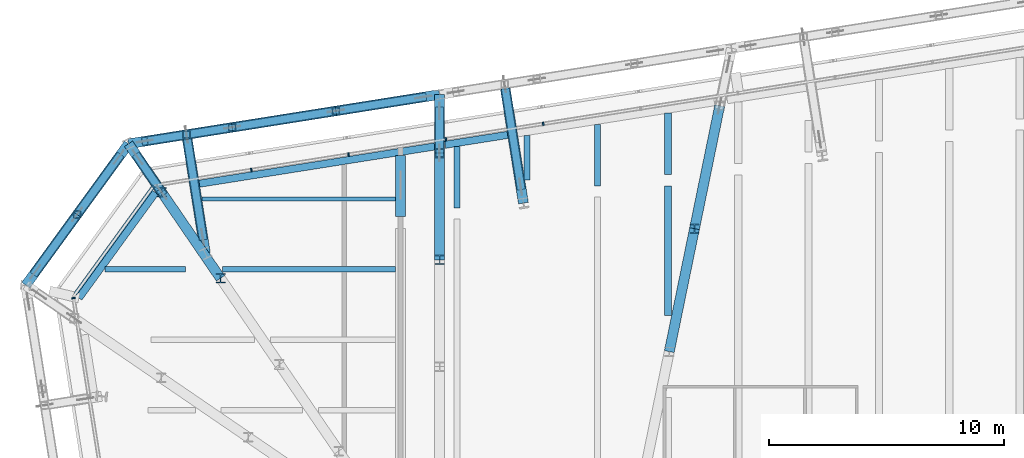
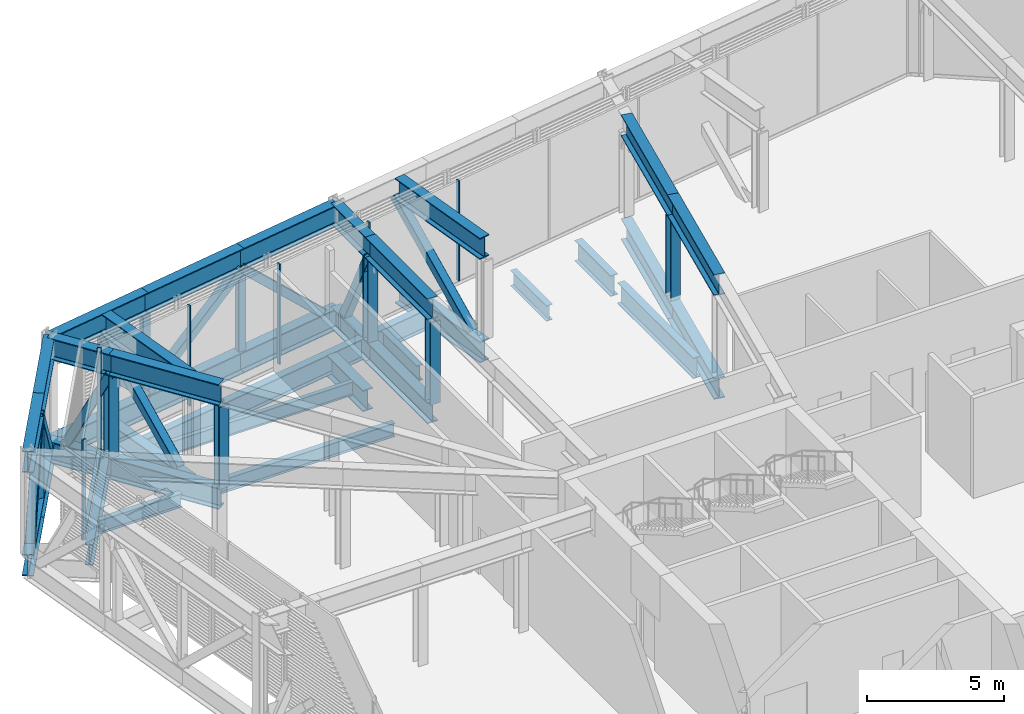
# One storey, part 13 of 35: 38 beams, 25 members, 3 elements without a shape of their own.
"""IFC4 building model written with IfcOpenShell, lengths in metres."""

import ifcopenshell
import ifcopenshell.guid

model = None  # the IFC model being written
_history = None  # IfcOwnerHistory: only IFC2X3 demands one
_inside = {}  # id of a spatial element -> (the spatial element, [elements in it])
_under = {}  # id of a project, library or spatial element -> (it, [spatial elements below it])
_declared = {}  # id of a project -> (the project, [libraries it declares])
_typed = {}  # id of a type object -> (the type object, [elements of that type])
_made_of = {}  # id of a material, layer set ... -> (it, [elements and type objects made of it])


def new_model(schema):
    """Start an empty IFC model of exactly this schema.

    Asked for "IFC4X3", IfcOpenShell would pick the latest addendum, in which some entities
    have other attributes; the version numbers below select the first issue.
    IFC2X3 requires an IfcOwnerHistory on every rooted entity: one is made here for all.
    """
    global model, _history
    if schema == "IFC4X3":
        model = ifcopenshell.file(schema_version=(4, 3, 0, 0))
    else:
        model = ifcopenshell.file(schema=schema)
    _inside.clear()
    _under.clear()
    _declared.clear()
    _typed.clear()
    _made_of.clear()
    _history = None
    if model.schema == "IFC2X3":
        org = make("IfcOrganization", Name="unknown")
        user = make(
            "IfcPersonAndOrganization",
            ThePerson=make("IfcPerson", FamilyName="unknown"),
            TheOrganization=org,
        )
        app = make(
            "IfcApplication",
            ApplicationDeveloper=org,
            Version="unknown",
            ApplicationFullName="unknown",
            ApplicationIdentifier="unknown",
        )
        _history = make(
            "IfcOwnerHistory",
            OwningUser=user,
            OwningApplication=app,
            ChangeAction="ADDED",
            CreationDate=0,
        )
    return model


def make(cls, **values):
    """One entity of the class cls with the attributes given. An attribute that is None is left unset."""
    return model.create_entity(
        cls, **{name: value for name, value in values.items() if value is not None}
    )


def rooted(cls, **values):
    """An entity with a GlobalId (a new one), such as an element, a storey or a relation."""
    return make(cls, GlobalId=ifcopenshell.guid.new(), OwnerHistory=_history, **values)


def si_unit(unit_type, name, prefix=None):
    """IfcSIUnit, for example si_unit("LENGTHUNIT", "METRE", prefix="MILLI")."""
    return make("IfcSIUnit", UnitType=unit_type, Prefix=prefix, Name=name)


def assignment(units):
    """IfcUnitAssignment: the units of a project."""
    return None if units is None else make("IfcUnitAssignment", Units=units)


def point(xyz):
    """IfcCartesianPoint."""
    return None if xyz is None else make("IfcCartesianPoint", Coordinates=xyz)


def direction(xyz):
    """IfcDirection."""
    return None if xyz is None else make("IfcDirection", DirectionRatios=xyz)


def frame(location, z_axis=None, x_axis=None):
    """IfcAxis2Placement3D, a coordinate frame: its origin and axes. An axis left out is left unset."""
    return make(
        "IfcAxis2Placement3D",
        Location=point(location),
        Axis=direction(z_axis),
        RefDirection=direction(x_axis),
    )


def frame_2d(location, x_axis=None):
    """IfcAxis2Placement2D, a coordinate frame in the plane: its origin and x axis."""
    return make(
        "IfcAxis2Placement2D", Location=point(location), RefDirection=direction(x_axis)
    )


def origin():
    """The frame at (0, 0, 0) with its axes left unset."""
    return frame((0.0, 0.0, 0.0))


def origin_2d():
    """The frame at (0, 0) in the plane with its x axis left unset."""
    return frame_2d((0.0, 0.0))


def place(relative_to, where):
    """IfcLocalPlacement: puts the frame where relative to a parent placement (None: the world)."""
    return make(
        "IfcLocalPlacement", PlacementRelTo=relative_to, RelativePlacement=where
    )


def context(
    kind, dimensions, precision=None, world=None, true_north=None, identifier=None
):
    """IfcGeometricRepresentationContext, for example the 3D "Model" context."""
    return make(
        "IfcGeometricRepresentationContext",
        ContextIdentifier=identifier,
        ContextType=kind,
        CoordinateSpaceDimension=dimensions,
        Precision=precision,
        WorldCoordinateSystem=world,
        TrueNorth=true_north,
    )


def subcontext(parent, identifier, kind, view, scale=None):
    """IfcGeometricRepresentationSubContext, for example "Body" below "Model"."""
    return make(
        "IfcGeometricRepresentationSubContext",
        ContextIdentifier=identifier,
        ContextType=kind,
        ParentContext=parent,
        TargetScale=scale,
        TargetView=view,
    )


def project(units=None, contexts=None):
    """IfcProject with its units and contexts."""
    return rooted(
        "IfcProject",
        Name="project",
        RepresentationContexts=contexts,
        UnitsInContext=assignment(units),
    )


def spatial(cls, under=None, at=None, **own):
    """A site, building, storey or space (cls), placed at a placement, below another one or the project."""
    s = rooted(cls, ObjectPlacement=at, **own)
    if under is not None:
        _under.setdefault(under.id(), (under, []))[1].append(s)
    return s


def profile(cls, at=None, kind="AREA", **sizes):
    """A parametric profile (cls). Its sizes go by their IFC names, for example OverallWidth=200.0."""
    return make(cls, ProfileType=kind, Position=at, **sizes)


def rectangle(**sizes):
    """IfcRectangleProfileDef."""
    return profile("IfcRectangleProfileDef", **sizes)


def hollow_rectangle(**sizes):
    """IfcRectangleHollowProfileDef."""
    return profile("IfcRectangleHollowProfileDef", **sizes)


def i_section(**sizes):
    """IfcIShapeProfileDef."""
    return profile("IfcIShapeProfileDef", **sizes)


def extrude(swept, where, along, depth):
    """IfcExtrudedAreaSolid: the profile swept, set in the frame where, extruded along a direction by depth."""
    return make(
        "IfcExtrudedAreaSolid",
        SweptArea=swept,
        Position=where,
        ExtrudedDirection=direction(along),
        Depth=depth,
    )


def shape(context_of_items, identifier, shape_type, items):
    """IfcShapeRepresentation: the items that make up one representation, for example the "Body"."""
    return make(
        "IfcShapeRepresentation",
        ContextOfItems=context_of_items,
        RepresentationIdentifier=identifier,
        RepresentationType=shape_type,
        Items=items,
    )


def material(Name=None, Category=None):
    """IfcMaterial."""
    return make("IfcMaterial", Name=Name, Category=Category)


def layer(
    of_material, thickness, ventilated=None, Name=None, Category=None, Priority=None
):
    """IfcMaterialLayer: one layer of a wall or slab, of a material (None: an air gap)."""
    return make(
        "IfcMaterialLayer",
        Material=of_material,
        LayerThickness=thickness,
        IsVentilated=ventilated,
        Name=Name,
        Category=Category,
        Priority=Priority,
    )


def layer_set(layers, Name=None):
    """IfcMaterialLayerSet."""
    return make("IfcMaterialLayerSet", MaterialLayers=layers, LayerSetName=Name)


def material_profile(
    of_material, cross_section, Name=None, Category=None, Priority=None
):
    """IfcMaterialProfile: a cross section and its material."""
    return make(
        "IfcMaterialProfile",
        Name=Name,
        Material=of_material,
        Profile=cross_section,
        Priority=Priority,
        Category=Category,
    )


def profile_set(profiles, Name=None, composite=None):
    """IfcMaterialProfileSet."""
    return make(
        "IfcMaterialProfileSet",
        Name=Name,
        MaterialProfiles=profiles,
        CompositeProfile=composite,
    )


def made_of(thing, what):
    """Note that an element or type object is made of a material, layer set ...; save() writes the relation."""
    if what is not None:
        _made_of.setdefault(what.id(), (what, []))[1].append(thing)
    return thing


def type_object(cls, material=None, **own):
    """A type object (cls), such as IfcWallType, which elements share."""
    return made_of(rooted(cls, **own), material)


def element(
    cls,
    number,
    at=None,
    inside=None,
    cuts=None,
    type_object=None,
    material=None,
    context=None,
    identifier="Body",
    shape_type=None,
    held_by="IfcProductDefinitionShape",
    body=None,
    shapes=None,
    **own,
):
    """One element of the class cls, such as IfcWall. Its Tag is "e" and its number.

    at: its placement. inside: the storey or other place that contains it. cuts: it is an
    opening in that element (IfcRelVoidsElement). A single representation is given by context,
    identifier, shape_type and body (its items); several are given by shapes. held_by: the class
    of the entity that holds the representations. save() writes the other relations.
    """
    e = rooted(cls, Tag="e%d" % number, ObjectPlacement=at, **own)
    if body is not None:
        shapes = [shape(context, identifier, shape_type, body)]
    if shapes is not None:
        e.Representation = make(held_by, Representations=shapes)
    if inside is not None:
        _inside.setdefault(inside.id(), (inside, []))[1].append(e)
    if cuts is not None:
        rooted(
            "IfcRelVoidsElement", RelatingBuildingElement=cuts, RelatedOpeningElement=e
        )
    if type_object is not None:
        _typed.setdefault(type_object.id(), (type_object, []))[1].append(e)
    return made_of(e, material)


def aggregate(whole, parts):
    """IfcRelAggregates: a whole, such as a stair, and the parts it consists of."""
    return rooted("IfcRelAggregates", RelatingObject=whole, RelatedObjects=parts)


def save(model, path):
    """Write the relations noted so far, then the file.

    IfcRelAggregates (storeys below a building ...), IfcRelContainedInSpatialStructure (elements
    in a storey), IfcRelDefinesByType, IfcRelAssociatesMaterial and IfcRelDeclares: one each for
    every whole, place, type object, material and project.
    """
    for whole, parts in _under.values():
        aggregate(whole, parts)
    for where, things in _inside.values():
        rooted(
            "IfcRelContainedInSpatialStructure",
            RelatedElements=things,
            RelatingStructure=where,
        )
    for kind, things in _typed.values():
        rooted("IfcRelDefinesByType", RelatedObjects=things, RelatingType=kind)
    for what, things in _made_of.values():
        rooted("IfcRelAssociatesMaterial", RelatedObjects=things, RelatingMaterial=what)
    for by, libraries in _declared.values():
        rooted("IfcRelDeclares", RelatingContext=by, RelatedDefinitions=libraries)
    model.write(path)


model = new_model("IFC4")

# Units and contexts
model_context = context("Model", 3, precision=1e-05, world=origin(), true_north=direction((0.0, 1.0)))
body_context = subcontext(model_context, "Body", "Model", "MODEL_VIEW")
ifc_project = project(units=[si_unit("LENGTHUNIT", "METRE"), si_unit("AREAUNIT", "SQUARE_METRE"), si_unit("VOLUMEUNIT", "CUBIC_METRE"), si_unit("PLANEANGLEUNIT", "RADIAN"), si_unit("MASSUNIT", "GRAM", prefix="KILO")], contexts=[model_context])

# Site, building, storey
site_placement = place(None, origin())
site = spatial("IfcSite", under=ifc_project, at=site_placement, CompositionType="ELEMENT")
building_placement = place(site_placement, origin())
building = spatial("IfcBuilding", under=site, at=building_placement, Name="Millrace Tower", CompositionType="ELEMENT")
storey_placement = place(building_placement, frame((0.0, 0.0, 200.10009765625)))
storey = spatial("IfcBuildingStorey", under=building, at=storey_placement, Name="L45", CompositionType="ELEMENT", Elevation=200.10009765625)

# Curtain wall, members
ifc_material_1 = material(Name="Aluminium and glass", Category="aluminium")
ifc_layer = layer(ifc_material_1, 0.14990234375)
ifc_layer_set = layer_set([ifc_layer], Name="Aluminium and glass")
curtain_wall_type = type_object("IfcCurtainWallType", Name="CW-5 truss and plant storey louvred infill", PredefinedType="NOTDEFINED", material=ifc_layer_set)
placement = place(storey_placement, origin())
curtain_wall_1 = element("IfcCurtainWall", 1, at=placement, inside=storey, type_object=curtain_wall_type, Name="Curtain wall D-F06 L45", PredefinedType="NOTDEFINED")
ifc_material_2 = material(Name="Aluminium", Category="aluminium")
ifc_material_profile_1 = material_profile(ifc_material_2, rectangle(XDim=0.06494140625, YDim=0.14990234375, at=origin_2d()))
ifc_profile_set_1 = profile_set([ifc_material_profile_1], Name="Aluminium")
member_type_1 = type_object("IfcMemberType", Name="CW-5 truss and plant storey louvred infill mullion", PredefinedType="MULLION", material=ifc_profile_set_1)
member_1_placement = place(storey_placement, frame((-8.31591796875, 27.207275390625, 0.139892578125), z_axis=(0.0, 0.0, 1.0), x_axis=(-0.987688339511, -0.156434471884, 0.0)))
member_1 = element("IfcMember", 2, at=member_1_placement, type_object=member_type_1, Name="CW5 mullion D-F06.6", PredefinedType="MULLION", context=body_context, shape_type="SweptSolid", body=[
    extrude(rectangle(XDim=0.06494140625, YDim=0.14990234375, at=origin_2d()), origin(), (0.0, 0.0, 1.0), 4.4599609375),
])
member_2_placement = place(storey_placement, frame((-12.46435546875, 26.55029296875, 0.139892578125), z_axis=(0.0, 0.0, 1.0), x_axis=(-0.987688339511, -0.156434471884, 0.0)))
member_2 = element("IfcMember", 3, at=member_2_placement, type_object=member_type_1, Name="CW5 mullion D-F06.7", PredefinedType="MULLION", context=body_context, shape_type="SweptSolid", body=[
    extrude(rectangle(XDim=0.06494140625, YDim=0.14990234375, at=origin_2d()), origin(), (0.0, 0.0, 1.0), 4.4599609375),
])
member_3_placement = place(storey_placement, frame((-16.612548828125, 25.893310546875, 0.139892578125), z_axis=(0.0, 0.0, 1.0), x_axis=(-0.987688339511, -0.156434471884, 0.0)))
member_3 = element("IfcMember", 4, at=member_3_placement, type_object=member_type_1, Name="CW5 mullion D-F06.8", PredefinedType="MULLION", context=body_context, shape_type="SweptSolid", body=[
    extrude(rectangle(XDim=0.06494140625, YDim=0.14990234375, at=origin_2d()), origin(), (0.0, 0.0, 1.0), 4.4599609375),
])
member_4_placement = place(storey_placement, frame((-20.7607421875, 25.236328125, 0.139892578125), z_axis=(0.0, 0.0, 1.0), x_axis=(-0.987688339511, -0.156434471884, 0.0)))
member_4 = element("IfcMember", 5, at=member_4_placement, type_object=member_type_1, Name="CW5 mullion D-F06.9", PredefinedType="MULLION", context=body_context, shape_type="SweptSolid", body=[
    extrude(rectangle(XDim=0.06494140625, YDim=0.14990234375, at=origin_2d()), origin(), (0.0, 0.0, 1.0), 4.4599609375),
])
aggregate(curtain_wall_1, [member_1, member_2, member_3, member_4])

# Curtain wall, member
curtain_wall_2 = element("IfcCurtainWall", 6, at=placement, inside=storey, type_object=curtain_wall_type, Name="Curtain wall D-F07 L45", PredefinedType="NOTDEFINED")
member_5_placement = place(storey_placement, frame((-24.945068359375, 24.528076171875, 0.139892578125), z_axis=(0.0, 0.0, 1.0), x_axis=(-0.587785305991, -0.809016955361, 0.0)))
member_5 = element("IfcMember", 7, at=member_5_placement, type_object=member_type_1, Name="CW5 mullion D-F07.1", PredefinedType="MULLION", context=body_context, shape_type="SweptSolid", body=[
    extrude(rectangle(XDim=0.06494140625, YDim=0.14990234375, at=origin_2d()), origin(), (0.0, 0.0, 1.0), 4.4599609375),
])

curtain_wall_3 = element("IfcCurtainWall", 8, at=placement, inside=storey, type_object=curtain_wall_type, Name="Curtain wall D-F08 L45", PredefinedType="NOTDEFINED")
member_6_placement = place(storey_placement, frame((-28.342529296875, 19.775390625, 0.139892578125), z_axis=(0.0, 0.0, 1.0), x_axis=(0.156434471884, -0.987688339511, 0.0)))
member_6 = element("IfcMember", 9, at=member_6_placement, type_object=member_type_1, Name="CW5 mullion D-F08.1", PredefinedType="MULLION", context=body_context, shape_type="SweptSolid", body=[
    extrude(rectangle(XDim=0.06494140625, YDim=0.14990234375, at=origin_2d()), origin(), (0.0, 0.0, 1.0), 4.4599609375),
])
aggregate(curtain_wall_3, [member_6])

# Member
ifc_material_3 = material(Name="Aluminium", Category="aluminium")
ifc_material_profile_2 = material_profile(ifc_material_3, rectangle(XDim=0.14990234375, YDim=0.139892578125, at=origin_2d()))
ifc_profile_set_2 = profile_set([ifc_material_profile_2], Name="Aluminium")
member_type_2 = type_object("IfcMemberType", Name="CW-5 truss and plant storey louvred infill transom", PredefinedType="USERDEFINED", material=ifc_profile_set_2)
member_7_placement = place(storey_placement, frame((-24.98486328125, 24.473388671875, 0.06982421875), z_axis=(-0.587782670904, -0.809018869857, 0.0), x_axis=(0.809018869857, -0.587782670904, 0.0)))
member_7 = element("IfcMember", 10, at=member_7_placement, type_object=member_type_2, Name="CW5 transom D-F07.1", ObjectType="TRANSOM", PredefinedType="USERDEFINED", context=body_context, shape_type="SweptSolid", body=[
    extrude(rectangle(XDim=0.14990234375, YDim=0.139892578125, at=origin_2d()), origin(), (0.0, 0.0, 1.0), 5.59814453125),
])

aggregate(curtain_wall_2, [member_5, member_7])

# Beams
ifc_material_4 = material(Name="Steel ASTM A992 Grade 50", Category="steel")
ifc_material_profile_3 = material_profile(ifc_material_4, i_section(OverallWidth=0.1787109375, OverallDepth=0.60205078125, WebThickness=0.010986328125, FlangeThickness=0.014892578125, FilletRadius=0.0126953125, at=origin_2d()))
ifc_profile_set_3 = profile_set([ifc_material_profile_3], Name="Steel ASTM A992 Grade 50")
beam_type_1 = type_object("IfcBeamType", Name="Floor beam W24x62", PredefinedType="JOIST", material=ifc_profile_set_3)
beam_1_placement = place(storey_placement, frame((-22.857421875, 24.0, -0.461181640625), z_axis=(1.0, 0.0, 0.0), x_axis=(0.0, 1.0, 0.0)))
element("IfcBeam", 11, at=beam_1_placement, inside=storey, type_object=beam_type_1, Name="BM-D-L45-S1-S033-b", PredefinedType="JOIST", context=body_context, shape_type="SweptSolid", body=[
    extrude(i_section(OverallWidth=0.1787109375, OverallDepth=0.60205078125, WebThickness=0.010986328125, FlangeThickness=0.014892578125, FilletRadius=0.0126953125, at=origin_2d()), origin(), (0.0, 0.0, 1.0), 8.247802734375),
])
ifc_material_5 = material(Name="Steel ASTM A992 Grade 50", Category="steel")
ifc_material_profile_4 = material_profile(ifc_material_5, i_section(OverallWidth=0.228271484375, OverallDepth=0.607177734375, WebThickness=0.01123046875, FlangeThickness=0.017333984375, FilletRadius=0.0126953125, at=origin_2d()))
ifc_profile_set_4 = profile_set([ifc_material_profile_4], Name="Steel ASTM A992 Grade 50")
beam_type_2 = type_object("IfcBeamType", Name="Floor beam W24x76", PredefinedType="JOIST", material=ifc_profile_set_4)
beam_2_placement = place(storey_placement, frame((-21.996826171875, 21.0, -0.463623046875), z_axis=(1.0, 0.0, 0.0), x_axis=(0.0, 1.0, 0.0)))
element("IfcBeam", 12, at=beam_2_placement, inside=storey, type_object=beam_type_2, Name="BM-D-L45-S1-S031-b", PredefinedType="JOIST", context=body_context, shape_type="SweptSolid", body=[
    extrude(i_section(OverallWidth=0.228271484375, OverallDepth=0.607177734375, WebThickness=0.01123046875, FlangeThickness=0.017333984375, FilletRadius=0.0126953125, at=origin_2d()), origin(), (0.0, 0.0, 1.0), 7.38720703125),
])
beam_3_placement = place(storey_placement, frame((-27.0078125, 21.0, -0.463623046875), z_axis=(1.0, 0.0, 0.0), x_axis=(0.0, 1.0, 0.0)))
element("IfcBeam", 13, at=beam_3_placement, inside=storey, type_object=beam_type_2, Name="BM-D-L45-S1-S031-a", PredefinedType="JOIST", context=body_context, shape_type="SweptSolid", body=[
    extrude(i_section(OverallWidth=0.228271484375, OverallDepth=0.607177734375, WebThickness=0.01123046875, FlangeThickness=0.017333984375, FilletRadius=0.0126953125, at=origin_2d()), origin(), (0.0, 0.0, 1.0), 3.4462890625),
])
ifc_material_6 = material(Name="Steel ASTM A992 Grade 50", Category="steel")
ifc_material_profile_5 = material_profile(ifc_material_6, i_section(OverallWidth=0.256591796875, OverallDepth=0.693359375, WebThickness=0.014404296875, FlangeThickness=0.023681640625, FilletRadius=0.01513671875, at=origin_2d()))
ifc_profile_set_5 = profile_set([ifc_material_profile_5], Name="Steel ASTM A992 Grade 50")
beam_type_3 = type_object("IfcBeamType", Name="Floor beam W27x114", PredefinedType="JOIST", material=ifc_profile_set_5)
beam_4_placement = place(storey_placement, frame((-6.0, 24.5654296875, -0.5068359375), z_axis=(0.0, 1.0, 0.0), x_axis=(-1.0, 0.0, 0.0)))
element("IfcBeam", 14, at=beam_4_placement, inside=storey, type_object=beam_type_3, Name="BM-D-L45-S1-S040-b", PredefinedType="JOIST", context=body_context, shape_type="SweptSolid", body=[
    extrude(i_section(OverallWidth=0.256591796875, OverallDepth=0.693359375, WebThickness=0.014404296875, FlangeThickness=0.023681640625, FilletRadius=0.01513671875, at=origin_2d()), origin(), (0.0, 0.0, 1.0), 2.62158203125),
])
beam_5_placement = place(storey_placement, frame((-12.0, 23.614990234375, -0.5068359375), z_axis=(0.0, 1.0, 0.0), x_axis=(-1.0, 0.0, 0.0)))
element("IfcBeam", 15, at=beam_5_placement, inside=storey, type_object=beam_type_3, Name="BM-D-L45-S1-S036-b", PredefinedType="JOIST", context=body_context, shape_type="SweptSolid", body=[
    extrude(i_section(OverallWidth=0.256591796875, OverallDepth=0.693359375, WebThickness=0.014404296875, FlangeThickness=0.023681640625, FilletRadius=0.01513671875, at=origin_2d()), origin(), (0.0, 0.0, 1.0), 2.621826171875),
])
beam_6_placement = place(storey_placement, frame((-9.0, 24.818603515625, -0.5068359375), z_axis=(0.0, 1.0, 0.0), x_axis=(-1.0, 0.0, 0.0)))
element("IfcBeam", 16, at=beam_6_placement, inside=storey, type_object=beam_type_3, Name="BM-D-L45-S1-S038", PredefinedType="JOIST", context=body_context, shape_type="SweptSolid", body=[
    extrude(i_section(OverallWidth=0.256591796875, OverallDepth=0.693359375, WebThickness=0.014404296875, FlangeThickness=0.023681640625, FilletRadius=0.01513671875, at=origin_2d()), origin(), (0.0, 0.0, 1.0), 1.893310546875),
])
ifc_material_7 = material(Name="Steel ASTM A992 Grade 50", Category="steel")
ifc_material_profile_6 = material_profile(ifc_material_7, i_section(OverallWidth=0.307373046875, OverallDepth=0.927001953125, WebThickness=0.01953125, FlangeThickness=0.031982421875, FilletRadius=0.01904296875, at=origin_2d()))
ifc_profile_set_6 = profile_set([ifc_material_profile_6], Name="Steel ASTM A992 Grade 50")
beam_type_4 = type_object("IfcBeamType", Name="Floor beam W36x194", PredefinedType="JOIST", material=ifc_profile_set_6)
beam_7_placement = place(storey_placement, frame((-3.0, 25.046142578125, -0.62353515625), z_axis=(0.0, 1.0, 0.0), x_axis=(-1.0, 0.0, 0.0)))
element("IfcBeam", 17, at=beam_7_placement, inside=storey, type_object=beam_type_4, Name="BM-D-L45-S1-S042-b", PredefinedType="JOIST", context=body_context, shape_type="SweptSolid", body=[
    extrude(i_section(OverallWidth=0.307373046875, OverallDepth=0.927001953125, WebThickness=0.01953125, FlangeThickness=0.031982421875, FilletRadius=0.01904296875, at=origin_2d()), origin(), (0.0, 0.0, 1.0), 2.615966796875),
])
beam_8_placement = place(storey_placement, frame((-3.0, 19.024169921875, -0.62353515625), z_axis=(0.0, 1.0, 0.0), x_axis=(-1.0, 0.0, 0.0)))
element("IfcBeam", 18, at=beam_8_placement, inside=storey, type_object=beam_type_4, Name="BM-D-L45-S1-S042-a-b", PredefinedType="JOIST", context=body_context, shape_type="SweptSolid", body=[
    extrude(i_section(OverallWidth=0.307373046875, OverallDepth=0.927001953125, WebThickness=0.01953125, FlangeThickness=0.031982421875, FilletRadius=0.01904296875, at=origin_2d()), origin(), (0.0, 0.0, 1.0), 5.534912109375),
])
ifc_material_8 = material(Name="Steel ASTM A992 Grade 50", Category="steel")
ifc_material_profile_7 = material_profile(ifc_material_8, i_section(OverallWidth=0.424072265625, OverallDepth=0.947509765625, WebThickness=0.02392578125, FlangeThickness=0.042724609375, FilletRadius=0.024169921875, at=origin_2d()))
ifc_profile_set_7 = profile_set([ifc_material_profile_7], Name="Steel ASTM A992 Grade 50")
beam_type_5 = type_object("IfcBeamType", Name="Girder short span W36x302", PredefinedType="BEAM", material=ifc_profile_set_7)
beam_9_placement = place(storey_placement, frame((-14.39990234375, 23.247802734375, -0.6337890625), z_axis=(0.0, 1.0, 0.0), x_axis=(-1.0, 0.0, 0.0)))
element("IfcBeam", 19, at=beam_9_placement, inside=storey, type_object=beam_type_5, Name="BM-D-L45-S1-G054-b", PredefinedType="BEAM", context=body_context, shape_type="SweptSolid", body=[
    extrude(i_section(OverallWidth=0.424072265625, OverallDepth=0.947509765625, WebThickness=0.02392578125, FlangeThickness=0.042724609375, FilletRadius=0.024169921875, at=origin_2d()), origin(), (0.0, 0.0, 1.0), 2.600830078125),
])
ifc_material_9 = material(Name="Steel ASTM A992 Grade 50", Category="steel")
ifc_material_profile_8 = material_profile(ifc_material_9, i_section(OverallWidth=0.307373046875, OverallDepth=0.927001953125, WebThickness=0.01953125, FlangeThickness=0.031982421875, FilletRadius=0.01904296875, at=origin_2d()))
ifc_profile_set_8 = profile_set([ifc_material_profile_8], Name="Steel ASTM A992 Grade 50")
beam_type_6 = type_object("IfcBeamType", Name="Ring beam short span W36x194", PredefinedType="SPANDREL", material=ifc_profile_set_8)
beam_10_placement = place(storey_placement, frame((-28.11181640625, 19.780517578125, -0.62353515625), z_axis=(0.587813796932, 0.808996254711, 0.0), x_axis=(-0.808996254711, 0.587813796932, 0.0)))
element("IfcBeam", 20, at=beam_10_placement, inside=storey, type_object=beam_type_6, Name="RNG-D-L45-S1-04", PredefinedType="SPANDREL", context=body_context, shape_type="SweptSolid", body=[
    extrude(i_section(OverallWidth=0.307373046875, OverallDepth=0.927001953125, WebThickness=0.01953125, FlangeThickness=0.031982421875, FilletRadius=0.01904296875, at=origin_2d()), origin(), (0.0, 0.0, 1.0), 5.5576171875),
])
beam_11_placement = place(storey_placement, frame((-12.4951171875, 26.31396484375, -0.62353515625), z_axis=(0.987697422942, 0.156377110584, 0.0), x_axis=(-0.156377110584, 0.987697422942, 0.0)))
element("IfcBeam", 21, at=beam_11_placement, inside=storey, type_object=beam_type_6, Name="RNG-D-L45-S1-06-a", PredefinedType="SPANDREL", context=body_context, shape_type="SweptSolid", body=[
    extrude(i_section(OverallWidth=0.307373046875, OverallDepth=0.927001953125, WebThickness=0.01953125, FlangeThickness=0.031982421875, FilletRadius=0.01904296875, at=origin_2d()), origin(), (0.0, 0.0, 1.0), 2.691650390625),
])
beam_12_placement = place(storey_placement, frame((-22.973876953125, 24.654296875, -0.62353515625), z_axis=(0.987688183278, 0.156435458296, 0.0), x_axis=(-0.156435458296, 0.987688183278, 0.0)))
element("IfcBeam", 22, at=beam_12_placement, inside=storey, type_object=beam_type_6, Name="RNG-D-L45-S1-05-b", PredefinedType="SPANDREL", context=body_context, shape_type="SweptSolid", body=[
    extrude(i_section(OverallWidth=0.307373046875, OverallDepth=0.927001953125, WebThickness=0.01953125, FlangeThickness=0.031982421875, FilletRadius=0.01904296875, at=origin_2d()), origin(), (0.0, 0.0, 1.0), 10.153564453125),
])

# Members
ifc_material_10 = material(Name="Steel ASTM A992 Grade 50", Category="steel")
ifc_material_profile_9 = material_profile(ifc_material_10, i_section(OverallWidth=0.40380859375, OverallDepth=0.406494140625, WebThickness=0.027099609375, FlangeThickness=0.043701171875, FilletRadius=0.01513671875, at=origin_2d()))
ifc_profile_set_9 = profile_set([ifc_material_profile_9], Name="Steel ASTM A992 Grade 50")
member_type_3 = type_object("IfcMemberType", Name="Transfer truss Vierendeel moment post W14x233", PredefinedType="POST", material=ifc_profile_set_9)
for number, where, z_axis, x_axis, name in (
    (23, (-1.865234375, 22.73779296875, -0.16015625), (0.0, 0.0, 1.0), (1.0, 0.0, 0.0), "TRS-L45-C11-V02"),
    (24, (-12.7333984375, 25.956787109375, -0.16015625), (0.0, 0.0, 1.0), (1.0, 0.0, 0.0), "TRS-L45-C12-V01"),
    (25, (-12.7333984375, 21.40673828125, -0.16015625), (0.0, 0.0, 1.0), (1.0, 0.0, 0.0), "TRS-L45-C12-V02"),
    (26, (-24.585205078125, 24.29248046875, -0.16015625), (0.0, 0.0, 1.0), (1.0, 0.0, 0.0), "TRS-L45-C13-V01"),
    (27, (-22.072998046875, 20.619384765625, -0.16015625), (0.0, 0.0, 1.0), (1.0, 0.0, 0.0), "TRS-L45-C13-V02"),
):
    element("IfcMember", number, at=place(storey_placement, frame(where, z_axis=z_axis, x_axis=x_axis)), inside=storey, type_object=member_type_3, Name=name, PredefinedType="POST", context=body_context, shape_type="SweptSolid", body=[
        extrude(i_section(OverallWidth=0.40380859375, OverallDepth=0.406494140625, WebThickness=0.027099609375, FlangeThickness=0.043701171875, FilletRadius=0.01513671875, at=origin_2d()), origin(), (0.0, 0.0, 1.0), 3.652587890625),
    ])

# Beams
ifc_material_11 = material(Name="Steel ASTM A992 Grade 50", Category="steel")
ifc_material_profile_10 = material_profile(ifc_material_11, i_section(OverallWidth=0.424072265625, OverallDepth=0.947509765625, WebThickness=0.02392578125, FlangeThickness=0.042724609375, FilletRadius=0.024169921875, at=origin_2d()))
ifc_profile_set_10 = profile_set([ifc_material_profile_10], Name="Steel ASTM A992 Grade 50")
beam_type_7 = type_object("IfcBeamType", Name="Transfer truss chord W36x302", PredefinedType="BEAM", material=ifc_profile_set_10)
for number, where, z_axis, x_axis, name in (
    (28, (-12.7333984375, 28.456787109375, -0.6337890625), (-0.987680126186, -0.156486319971, 0.0), (0.156486319971, -0.987680126186, 0.0), "TRS-L45-R12-B01"),
    (29, (-12.7333984375, 28.456787109375, 3.96630859375), (-0.987680126186, -0.156486319971, 0.0), (0.156486319971, -0.987680126186, 0.0), "TRS-L45-R12-T01"),
):
    element("IfcBeam", number, at=place(storey_placement, frame(where, z_axis=z_axis, x_axis=x_axis)), inside=storey, type_object=beam_type_7, Name=name, PredefinedType="BEAM", context=body_context, shape_type="SweptSolid", body=[
        extrude(i_section(OverallWidth=0.424072265625, OverallDepth=0.947509765625, WebThickness=0.02392578125, FlangeThickness=0.042724609375, FilletRadius=0.024169921875, at=origin_2d()), origin(), (0.0, 0.0, 1.0), 4.47607421875),
    ])
for number, where, z_axis, x_axis, name in (
    (30, (-17.154296875, 27.75634765625, -0.6337890625), (-0.9876898897, -0.156424684061, 0.0), (0.156424684061, -0.9876898897, 0.0), "TRS-L45-R12-B02"),
    (31, (-17.154296875, 27.75634765625, 3.96630859375), (-0.9876898897, -0.156424684061, 0.0), (0.156424684061, -0.9876898897, 0.0), "TRS-L45-R12-T02"),
):
    element("IfcBeam", number, at=place(storey_placement, frame(where, z_axis=z_axis, x_axis=x_axis)), inside=storey, type_object=beam_type_7, Name=name, PredefinedType="BEAM", context=body_context, shape_type="SweptSolid", body=[
        extrude(i_section(OverallWidth=0.424072265625, OverallDepth=0.947509765625, WebThickness=0.02392578125, FlangeThickness=0.042724609375, FilletRadius=0.024169921875, at=origin_2d()), origin(), (0.0, 0.0, 1.0), 4.476318359375),
    ])
for number, where, z_axis, x_axis, name in (
    (32, (-21.575439453125, 27.05615234375, -0.6337890625), (-0.987688555037, -0.156433111103, 0.0), (0.156433111103, -0.987688555037, 0.0), "TRS-L45-R12-B03"),
    (33, (-21.575439453125, 27.05615234375, 3.96630859375), (-0.987688555037, -0.156433111103, 0.0), (0.156433111103, -0.987688555037, 0.0), "TRS-L45-R12-T03"),
):
    element("IfcBeam", number, at=place(storey_placement, frame(where, z_axis=z_axis, x_axis=x_axis)), inside=storey, type_object=beam_type_7, Name=name, PredefinedType="BEAM", context=body_context, shape_type="SweptSolid", body=[
        extrude(i_section(OverallWidth=0.424072265625, OverallDepth=0.947509765625, WebThickness=0.02392578125, FlangeThickness=0.042724609375, FilletRadius=0.024169921875, at=origin_2d()), origin(), (0.0, 0.0, 1.0), 4.47607421875),
    ])
for number, where, z_axis, x_axis, name in (
    (34, (-25.996337890625, 26.35595703125, -0.6337890625), (-0.587817260373, -0.808993738176, 0.0), (0.808993738176, -0.587817260373, 0.0), "TRS-L45-R13-B01"),
    (35, (-25.996337890625, 26.35595703125, 3.96630859375), (-0.587817260373, -0.808993738176, 0.0), (0.808993738176, -0.587817260373, 0.0), "TRS-L45-R13-T01"),
    (36, (-28.1875, 23.34033203125, -0.6337890625), (-0.587774393355, -0.809024883744, 0.0), (0.809024883744, -0.587774393355, 0.0), "TRS-L45-R13-B02"),
    (37, (-28.1875, 23.34033203125, 3.96630859375), (-0.587774393355, -0.809024883744, 0.0), (0.809024883744, -0.587774393355, 0.0), "TRS-L45-R13-T02"),
):
    element("IfcBeam", number, at=place(storey_placement, frame(where, z_axis=z_axis, x_axis=x_axis)), inside=storey, type_object=beam_type_7, Name=name, PredefinedType="BEAM", context=body_context, shape_type="SweptSolid", body=[
        extrude(i_section(OverallWidth=0.424072265625, OverallDepth=0.947509765625, WebThickness=0.02392578125, FlangeThickness=0.042724609375, FilletRadius=0.024169921875, at=origin_2d()), origin(), (0.0, 0.0, 1.0), 3.7275390625),
    ])
for number, where, z_axis, x_axis, name in (
    (38, (-0.79052734375, 27.978759765625, -0.6337890625), (-0.200879018257, -0.979616057455, 0.0), (0.979616057455, -0.200879018257, 0.0), "TRS-L45-C11-B02"),
    (39, (-0.79052734375, 27.978759765625, 3.96630859375), (-0.200879018257, -0.979616057455, 0.0), (0.979616057455, -0.200879018257, 0.0), "TRS-L45-C11-T02"),
    (40, (-1.865234375, 22.73779296875, -0.6337890625), (-0.200879018257, -0.979616057455, 0.0), (0.979616057455, -0.200879018257, 0.0), "TRS-L45-C11-B03"),
    (41, (-1.865234375, 22.73779296875, 3.96630859375), (-0.200879018257, -0.979616057455, 0.0), (0.979616057455, -0.200879018257, 0.0), "TRS-L45-C11-T03"),
):
    element("IfcBeam", number, at=place(storey_placement, frame(where, z_axis=z_axis, x_axis=x_axis)), inside=storey, type_object=beam_type_7, Name=name, PredefinedType="BEAM", context=body_context, shape_type="SweptSolid", body=[
        extrude(i_section(OverallWidth=0.424072265625, OverallDepth=0.947509765625, WebThickness=0.02392578125, FlangeThickness=0.042724609375, FilletRadius=0.024169921875, at=origin_2d()), origin(), (0.0, 0.0, 1.0), 5.35009765625),
    ])
for number, where, z_axis, x_axis, name in (
    (42, (-12.7333984375, 28.456787109375, -0.6337890625), (0.0, -1.0, 0.0), (1.0, 0.0, 0.0), "TRS-L45-C12-B01"),
    (43, (-12.7333984375, 28.456787109375, 3.96630859375), (0.0, -1.0, 0.0), (1.0, 0.0, 0.0), "TRS-L45-C12-T01"),
):
    element("IfcBeam", number, at=place(storey_placement, frame(where, z_axis=z_axis, x_axis=x_axis)), inside=storey, type_object=beam_type_7, Name=name, PredefinedType="BEAM", context=body_context, shape_type="SweptSolid", body=[
        extrude(i_section(OverallWidth=0.424072265625, OverallDepth=0.947509765625, WebThickness=0.02392578125, FlangeThickness=0.042724609375, FilletRadius=0.024169921875, at=origin_2d()), origin(), (0.0, 0.0, 1.0), 2.5),
    ])
for number, where, z_axis, x_axis, name in (
    (44, (-12.7333984375, 25.956787109375, -0.6337890625), (0.0, -1.0, 0.0), (1.0, 0.0, 0.0), "TRS-L45-C12-B02"),
    (45, (-12.7333984375, 25.956787109375, 3.96630859375), (0.0, -1.0, 0.0), (1.0, 0.0, 0.0), "TRS-L45-C12-T02"),
):
    element("IfcBeam", number, at=place(storey_placement, frame(where, z_axis=z_axis, x_axis=x_axis)), inside=storey, type_object=beam_type_7, Name=name, PredefinedType="BEAM", context=body_context, shape_type="SweptSolid", body=[
        extrude(i_section(OverallWidth=0.424072265625, OverallDepth=0.947509765625, WebThickness=0.02392578125, FlangeThickness=0.042724609375, FilletRadius=0.024169921875, at=origin_2d()), origin(), (0.0, 0.0, 1.0), 4.550048828125),
    ])
for number, where, z_axis, x_axis, name in (
    (46, (-25.996337890625, 26.35595703125, -0.6337890625), (0.564487838073, -0.825441385362, 0.0), (0.825441385362, 0.564487838073, 0.0), "TRS-L45-C13-B01"),
    (47, (-25.996337890625, 26.35595703125, 3.96630859375), (0.564487838073, -0.825441385362, 0.0), (0.825441385362, 0.564487838073, 0.0), "TRS-L45-C13-T01"),
):
    element("IfcBeam", number, at=place(storey_placement, frame(where, z_axis=z_axis, x_axis=x_axis)), inside=storey, type_object=beam_type_7, Name=name, PredefinedType="BEAM", context=body_context, shape_type="SweptSolid", body=[
        extrude(i_section(OverallWidth=0.424072265625, OverallDepth=0.947509765625, WebThickness=0.02392578125, FlangeThickness=0.042724609375, FilletRadius=0.024169921875, at=origin_2d()), origin(), (0.0, 0.0, 1.0), 2.499755859375),
    ])
for number, where, z_axis, x_axis, name in (
    (48, (-24.585205078125, 24.29248046875, -0.6337890625), (0.564536398575, -0.825408174593, 0.0), (0.825408174593, 0.564536398575, 0.0), "TRS-L45-C13-B02"),
    (49, (-24.585205078125, 24.29248046875, 3.96630859375), (0.564536398575, -0.825408174593, 0.0), (0.825408174593, 0.564536398575, 0.0), "TRS-L45-C13-T02"),
):
    element("IfcBeam", number, at=place(storey_placement, frame(where, z_axis=z_axis, x_axis=x_axis)), inside=storey, type_object=beam_type_7, Name=name, PredefinedType="BEAM", context=body_context, shape_type="SweptSolid", body=[
        extrude(i_section(OverallWidth=0.424072265625, OverallDepth=0.947509765625, WebThickness=0.02392578125, FlangeThickness=0.042724609375, FilletRadius=0.024169921875, at=origin_2d()), origin(), (0.0, 0.0, 1.0), 4.449951171875),
    ])
for number, where, z_axis, x_axis, name in (
    (50, (-9.15966796875, 23.8271484375, -0.6337890625), (-0.156426373675, 0.987689622107, 0.0), (-0.987689622107, -0.156426373675, 0.0), "TRS-L45-B-C-X12-B01"),
    (51, (-9.15966796875, 23.8271484375, 3.96630859375), (-0.156426373675, 0.987689622107, 0.0), (-0.987689622107, -0.156426373675, 0.0), "TRS-L45-B-C-X12-T01"),
):
    element("IfcBeam", number, at=place(storey_placement, frame(where, z_axis=z_axis, x_axis=x_axis)), inside=storey, type_object=beam_type_7, Name=name, PredefinedType="BEAM", context=body_context, shape_type="SweptSolid", body=[
        extrude(i_section(OverallWidth=0.424072265625, OverallDepth=0.947509765625, WebThickness=0.02392578125, FlangeThickness=0.042724609375, FilletRadius=0.024169921875, at=origin_2d()), origin(), (0.0, 0.0, 1.0), 4.91943359375),
    ])
for number, where, z_axis, x_axis, name in (
    (52, (-22.718994140625, 21.679443359375, -0.6337890625), (-0.156467117028, 0.987683168475, 0.0), (-0.987683168475, -0.156467117028, 0.0), "TRS-L45-B-C-X13-B01"),
    (53, (-22.718994140625, 21.679443359375, 3.96630859375), (-0.156467117028, 0.987683168475, 0.0), (-0.987683168475, -0.156467117028, 0.0), "TRS-L45-B-C-X13-T01"),
):
    element("IfcBeam", number, at=place(storey_placement, frame(where, z_axis=z_axis, x_axis=x_axis)), inside=storey, type_object=beam_type_7, Name=name, PredefinedType="BEAM", context=body_context, shape_type="SweptSolid", body=[
        extrude(i_section(OverallWidth=0.424072265625, OverallDepth=0.947509765625, WebThickness=0.02392578125, FlangeThickness=0.042724609375, FilletRadius=0.024169921875, at=origin_2d()), origin(), (0.0, 0.0, 1.0), 4.919677734375),
    ])

# Members
ifc_material_12 = material(Name="Steel ASTM A500 Grade C", Category="steel")
ifc_material_profile_11 = material_profile(ifc_material_12, hollow_rectangle(XDim=0.355712890625, YDim=0.355712890625, WallThickness=0.015869140625, InnerFilletRadius=0.008056640625, OuterFilletRadius=0.02392578125, at=origin_2d()))
ifc_profile_set_11 = profile_set([ifc_material_profile_11], Name="Steel ASTM A500 Grade C")
member_type_4 = type_object("IfcMemberType", Name="Transfer truss diagonal HSS14x14x5/8", PredefinedType="BRACE", material=ifc_profile_set_11)
member_8_placement = place(storey_placement, frame((-13.424560546875, 28.34716796875, -0.16015625), z_axis=(-0.70992517153, -0.112457872298, 0.695240589858), x_axis=(0.156457227145, -0.987684735163, 0.0)))
element("IfcMember", 54, at=member_8_placement, inside=storey, type_object=member_type_4, Name="TRS-L45-R12-D01", PredefinedType="BRACE", context=body_context, shape_type="SweptSolid", body=[
    extrude(hollow_rectangle(XDim=0.355712890625, YDim=0.355712890625, WallThickness=0.015869140625, InnerFilletRadius=0.008056640625, OuterFilletRadius=0.02392578125, at=origin_2d()), origin(), (0.0, 0.0, 1.0), 5.253662109375),
])
member_9_placement = place(storey_placement, frame((-21.575439453125, 27.05615234375, -0.16015625), z_axis=(0.765249821658, 0.121195896434, 0.632221689868), x_axis=(-0.156424684061, 0.9876898897, 0.0)))
element("IfcMember", 55, at=member_9_placement, inside=storey, type_object=member_type_4, Name="TRS-L45-R12-D02", PredefinedType="BRACE", context=body_context, shape_type="SweptSolid", body=[
    extrude(hollow_rectangle(XDim=0.355712890625, YDim=0.355712890625, WallThickness=0.015869140625, InnerFilletRadius=0.008056640625, OuterFilletRadius=0.02392578125, at=origin_2d()), origin(), (0.0, 0.0, 1.0), 5.77734375),
])
member_10_placement = place(storey_placement, frame((-21.575439453125, 27.05615234375, -0.16015625), z_axis=(-0.709905830295, -0.112415698055, 0.695267159403), x_axis=(0.156404144508, -0.987693142419, 0.0)))
element("IfcMember", 56, at=member_10_placement, inside=storey, type_object=member_type_4, Name="TRS-L45-R12-D03", PredefinedType="BRACE", context=body_context, shape_type="SweptSolid", body=[
    extrude(hollow_rectangle(XDim=0.355712890625, YDim=0.355712890625, WallThickness=0.015869140625, InnerFilletRadius=0.008056640625, OuterFilletRadius=0.02392578125, at=origin_2d()), origin(), (0.0, 0.0, 1.0), 5.25341796875),
])
for number, where, z_axis, x_axis, name in (
    (57, (-26.407958984375, 25.789794921875, -0.16015625), (-0.375093234456, -0.516299961764, 0.76989571693), (0.809032377573, -0.587764078554, 0.0), "TRS-L45-R13-D01"),
    (58, (-29.967041015625, 20.890869140625, -0.16015625), (0.375093234456, 0.516299961764, 0.76989571693), (-0.809032377573, 0.587764078554, 0.0), "TRS-L45-R13-D02"),
):
    element("IfcMember", number, at=place(storey_placement, frame(where, z_axis=z_axis, x_axis=x_axis)), inside=storey, type_object=member_type_4, Name=name, PredefinedType="BRACE", context=body_context, shape_type="SweptSolid", body=[
        extrude(hollow_rectangle(XDim=0.355712890625, YDim=0.355712890625, WallThickness=0.015869140625, InnerFilletRadius=0.008056640625, OuterFilletRadius=0.02392578125, at=origin_2d()), origin(), (0.0, 0.0, 1.0), 4.744384765625),
    ])
for number, where, z_axis, x_axis, name in (
    (59, (-12.7333984375, 27.756591796875, -0.16015625), (0.0, -0.442001772063, 0.897014176863), (1.0, 0.0, 0.0), "TRS-L45-C12-D01"),
    (60, (-25.601318359375, 25.7783203125, -0.16015625), (0.249533496048, -0.36488727942, 0.896989580579), (0.825440308653, 0.564489412523, 0.0), "TRS-L45-C13-D01"),
):
    element("IfcMember", number, at=place(storey_placement, frame(where, z_axis=z_axis, x_axis=x_axis)), inside=storey, type_object=member_type_4, Name=name, PredefinedType="BRACE", context=body_context, shape_type="SweptSolid", body=[
        extrude(hollow_rectangle(XDim=0.355712890625, YDim=0.355712890625, WallThickness=0.015869140625, InnerFilletRadius=0.008056640625, OuterFilletRadius=0.02392578125, at=origin_2d()), origin(), (0.0, 0.0, 1.0), 4.072021484375),
    ])
for number, where, z_axis, x_axis, name in (
    (61, (-9.269287109375, 24.518310546875, -0.16015625), (-0.120689411638, 0.76218403003, 0.636010668374), (-0.987694082215, -0.156398209572, 0.0), "TRS-L45-B-C-X12-D01"),
    (62, (-22.82861328125, 22.370849609375, -0.16015625), (-0.120689411638, 0.76218403003, 0.636010668374), (-0.987694082215, -0.156398209572, 0.0), "TRS-L45-B-C-X13-D01"),
):
    element("IfcMember", number, at=place(storey_placement, frame(where, z_axis=z_axis, x_axis=x_axis)), inside=storey, type_object=member_type_4, Name=name, PredefinedType="BRACE", context=body_context, shape_type="SweptSolid", body=[
        extrude(hollow_rectangle(XDim=0.355712890625, YDim=0.355712890625, WallThickness=0.015869140625, InnerFilletRadius=0.008056640625, OuterFilletRadius=0.02392578125, at=origin_2d()), origin(), (0.0, 0.0, 1.0), 5.742919921875),
    ])
ifc_material_13 = material(Name="Steel ASTM A500 Grade C", Category="steel")
ifc_material_profile_12 = material_profile(ifc_material_13, hollow_rectangle(XDim=0.3046875, YDim=0.3046875, WallThickness=0.0126953125, InnerFilletRadius=0.00634765625, OuterFilletRadius=0.01904296875, at=origin_2d()))
ifc_profile_set_12 = profile_set([ifc_material_profile_12], Name="Steel ASTM A500 Grade C")
member_type_5 = type_object("IfcMemberType", Name="Transfer truss post HSS12x12x1/2", PredefinedType="POST", material=ifc_profile_set_12)
for number, where, z_axis, x_axis, name in (
    (63, (-17.154296875, 27.75634765625, -0.16015625), (0.0, 0.0, 1.0), (1.0, 0.0, 0.0), "TRS-L45-R12-V01"),
    (64, (-21.575439453125, 27.05615234375, -0.16015625), (0.0, 0.0, 1.0), (1.0, 0.0, 0.0), "TRS-L45-R12-V02"),
    (65, (-28.1875, 23.34033203125, -0.16015625), (0.0, 0.0, 1.0), (1.0, 0.0, 0.0), "TRS-L45-R13-V01"),
    (66, (-23.521728515625, 26.748046875, -0.16015625), (0.0, 0.0, 1.0), (1.0, 0.0, 0.0), "TRS-L45-B-C-X13-V01"),
):
    element("IfcMember", number, at=place(storey_placement, frame(where, z_axis=z_axis, x_axis=x_axis)), inside=storey, type_object=member_type_5, Name=name, PredefinedType="POST", context=body_context, shape_type="SweptSolid", body=[
        extrude(hollow_rectangle(XDim=0.3046875, YDim=0.3046875, WallThickness=0.0126953125, InnerFilletRadius=0.00634765625, OuterFilletRadius=0.01904296875, at=origin_2d()), origin(), (0.0, 0.0, 1.0), 3.652587890625),
    ])

save(model, "model.ifc")
